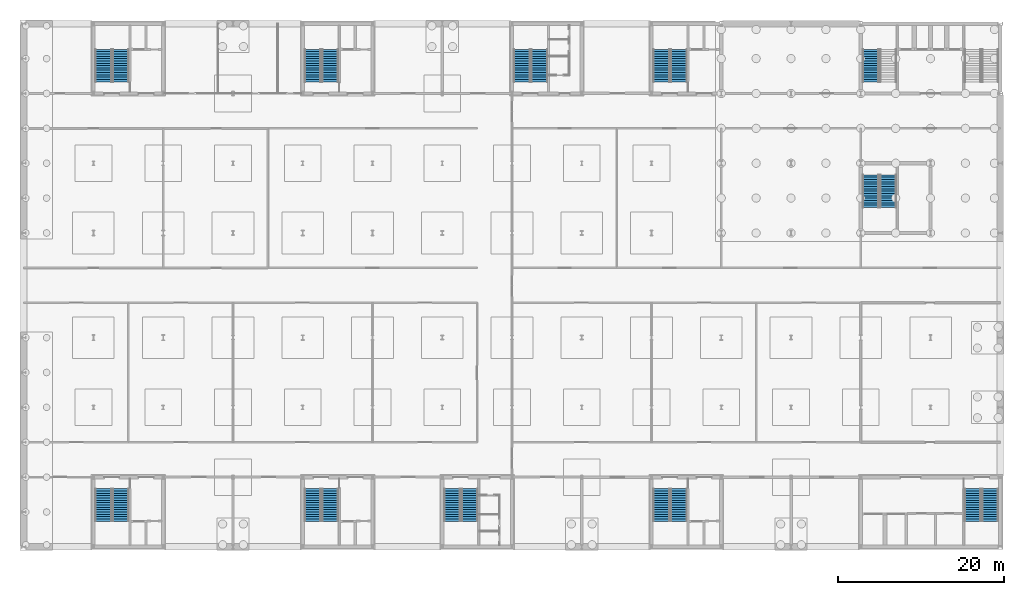
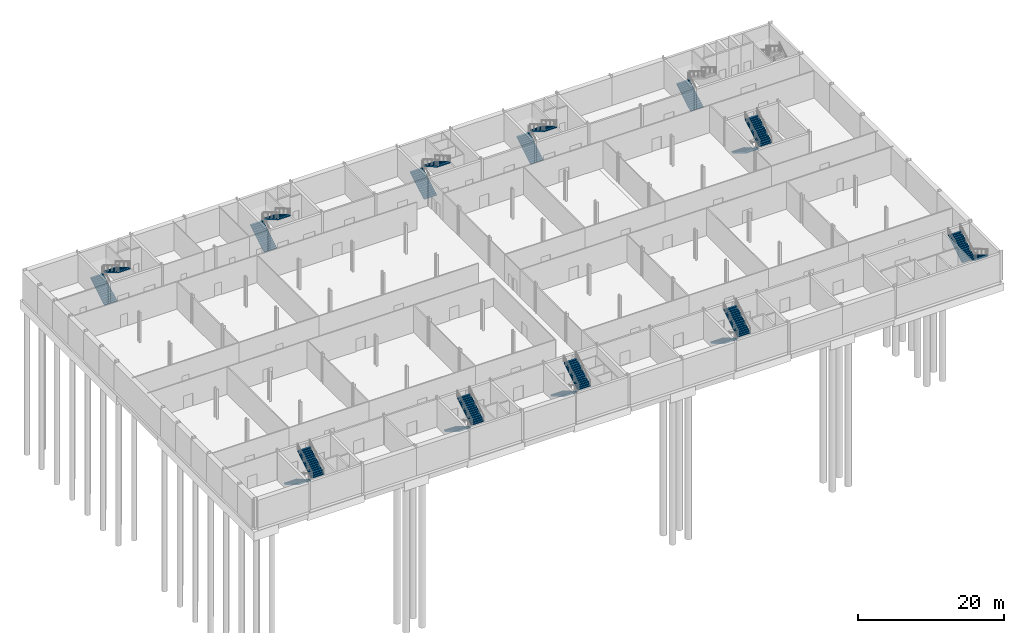
# One storey, part 20 of 22: 21 stair flights, 11 elements without a shape of their own.
"""IFC4 building model written with IfcOpenShell, lengths in metres."""

from ifc_helpers import new_model, si_unit, direction, frame, origin, place, context, subcontext, project, spatial, polyline, outline, extrude, material, type_object, element, aggregate, save


model = new_model("IFC4")

# Units and contexts
model_context = context("Model", 3, precision=1e-05, world=origin(), true_north=direction((0.0, 1.0)))
body_context = subcontext(model_context, "Body", "Model", "MODEL_VIEW")
ifc_project = project(units=[si_unit("LENGTHUNIT", "METRE"), si_unit("AREAUNIT", "SQUARE_METRE"), si_unit("VOLUMEUNIT", "CUBIC_METRE"), si_unit("PLANEANGLEUNIT", "RADIAN"), si_unit("MASSUNIT", "GRAM", prefix="KILO")], contexts=[model_context])

# Site, building, storey
site_placement = place(None, origin())
site = spatial("IfcSite", under=ifc_project, at=site_placement, CompositionType="ELEMENT")
building_placement = place(site_placement, origin())
building = spatial("IfcBuilding", under=site, at=building_placement, Name="Galleria Vessillo Department Store", CompositionType="ELEMENT")
storey_placement = place(building_placement, frame((0.0, 0.0, -9.89990234375)))
storey = spatial("IfcBuildingStorey", under=building, at=storey_placement, Name="B2", CompositionType="ELEMENT", Elevation=-9.89990234375)

# Stair, stair flights
ifc_material_1 = material(Name="Concrete C32/40", Category="concrete")
stair_type = type_object("IfcStairType", Name="Half-turn escape stair 2000 mm, 30 risers of 167 mm", PredefinedType="HALF_TURN_STAIR", material=ifc_material_1)
stair_1_placement = place(storey_placement, origin())
stair_1 = element("IfcStair", 1, at=stair_1_placement, inside=storey, type_object=stair_type, Name="Stair ST1 B2", PredefinedType="HALF_TURN_STAIR")
ifc_material_2 = material(Name="Concrete C32/40", Category="concrete")
stair_flight_type = type_object("IfcStairFlightType", Name="Stair flight 2000 mm, 15 risers of 167 mm", PredefinedType="STRAIGHT", material=ifc_material_2)
stair_flight_1_placement = place(storey_placement, frame((9.60009765625, 7.00048828125, 0.0), z_axis=(0.0, 0.0, 1.0), x_axis=(0.0, -1.0, 0.0)))
stair_flight_1 = element("IfcStairFlight", 2, at=stair_flight_1_placement, type_object=stair_flight_type, Name="ST1 flight 1", NumberOfRisers=15, NumberOfTreads=14, PredefinedType="STRAIGHT", RiserHeight=0.166666667, TreadLength=0.28, context=body_context, shape_type="SweptSolid", body=[
    extrude(outline(polyline([(0.0, 0.0), (0.0, 0.166748046875), (0.280029296875, 0.166748046875), (0.280029296875, 0.333251953125), (0.56005859375, 0.333251953125), (0.56005859375, 0.5), (0.840087890625, 0.5), (0.840087890625, 0.666748046875), (1.1201171875, 0.666748046875), (1.1201171875, 0.833251953125), (1.39990234375, 0.833251953125), (1.39990234375, 1.0), (1.679931640625, 1.0), (1.679931640625, 1.166748046875), (1.9599609375, 1.166748046875), (1.9599609375, 1.333251953125), (2.239990234375, 1.333251953125), (2.239990234375, 1.5), (2.52001953125, 1.5), (2.52001953125, 1.666748046875), (2.800048828125, 1.666748046875), (2.800048828125, 1.833251953125), (3.080078125, 1.833251953125), (3.080078125, 2.0), (3.360107421875, 2.0), (3.360107421875, 2.166748046875), (3.639892578125, 2.166748046875), (3.639892578125, 2.333251953125), (3.919921875, 2.333251953125), (3.919921875, 2.5), (3.919921875, 2.158935546875), (0.29296875, 0.0), (0.0, 0.0)])), frame((0.0, 1.0, 0.0), z_axis=(0.0, -1.0, 0.0), x_axis=(1.0, 0.0, 0.0)), (0.0, 0.0, 1.0), 2.0),
])
stair_flight_2_placement = place(storey_placement, frame((11.699951171875, 3.08056640625, 2.5), z_axis=(0.0, 0.0, 1.0), x_axis=(0.0, 1.0, 0.0)))
stair_flight_2 = element("IfcStairFlight", 3, at=stair_flight_2_placement, type_object=stair_flight_type, Name="ST1 flight 2", NumberOfRisers=15, NumberOfTreads=14, PredefinedType="STRAIGHT", RiserHeight=0.166666667, TreadLength=0.28, context=body_context, shape_type="SweptSolid", body=[
    extrude(outline(polyline([(0.0, 0.0), (0.0, 0.166748046875), (0.280029296875, 0.166748046875), (0.280029296875, 0.333251953125), (0.56005859375, 0.333251953125), (0.56005859375, 0.5), (0.840087890625, 0.5), (0.840087890625, 0.666748046875), (1.1201171875, 0.666748046875), (1.1201171875, 0.833251953125), (1.39990234375, 0.833251953125), (1.39990234375, 1.0), (1.679931640625, 1.0), (1.679931640625, 1.166748046875), (1.9599609375, 1.166748046875), (1.9599609375, 1.333251953125), (2.239990234375, 1.333251953125), (2.239990234375, 1.5), (2.52001953125, 1.5), (2.52001953125, 1.666748046875), (2.800048828125, 1.666748046875), (2.800048828125, 1.833251953125), (3.080078125, 1.833251953125), (3.080078125, 2.0), (3.360107421875, 2.0), (3.360107421875, 2.166748046875), (3.639892578125, 2.166748046875), (3.639892578125, 2.333251953125), (3.919921875, 2.333251953125), (3.919921875, 2.5), (3.919921875, 2.158935546875), (0.29296875, 0.0), (0.0, 0.0)])), frame((0.0, 1.0, 0.0), z_axis=(0.0, -1.0, 0.0), x_axis=(1.0, 0.0, 0.0)), (0.0, 0.0, 1.0), 2.0),
])
aggregate(stair_1, [stair_flight_1, stair_flight_2])

stair_2_placement = place(storey_placement, origin())
stair_2 = element("IfcStair", 4, at=stair_2_placement, inside=storey, type_object=stair_type, Name="Stair ST2 B2", PredefinedType="HALF_TURN_STAIR")
stair_flight_3_placement = place(storey_placement, frame((9.60009765625, 55.99951171875, 0.0), z_axis=(0.0, 0.0, 1.0), x_axis=(0.0, 1.0, 0.0)))
stair_flight_3 = element("IfcStairFlight", 5, at=stair_flight_3_placement, type_object=stair_flight_type, Name="ST2 flight 1", NumberOfRisers=15, NumberOfTreads=14, PredefinedType="STRAIGHT", RiserHeight=0.166666667, TreadLength=0.28, context=body_context, shape_type="SweptSolid", body=[
    extrude(outline(polyline([(0.0, 0.0), (0.0, 0.166748046875), (0.280029296875, 0.166748046875), (0.280029296875, 0.333251953125), (0.56005859375, 0.333251953125), (0.56005859375, 0.5), (0.840087890625, 0.5), (0.840087890625, 0.666748046875), (1.1201171875, 0.666748046875), (1.1201171875, 0.833251953125), (1.39990234375, 0.833251953125), (1.39990234375, 1.0), (1.679931640625, 1.0), (1.679931640625, 1.166748046875), (1.9599609375, 1.166748046875), (1.9599609375, 1.333251953125), (2.239990234375, 1.333251953125), (2.239990234375, 1.5), (2.52001953125, 1.5), (2.52001953125, 1.666748046875), (2.800048828125, 1.666748046875), (2.800048828125, 1.833251953125), (3.080078125, 1.833251953125), (3.080078125, 2.0), (3.360107421875, 2.0), (3.360107421875, 2.166748046875), (3.639892578125, 2.166748046875), (3.639892578125, 2.333251953125), (3.919921875, 2.333251953125), (3.919921875, 2.5), (3.919921875, 2.158935546875), (0.29296875, 0.0), (0.0, 0.0)])), frame((0.0, 1.0, 0.0), z_axis=(0.0, -1.0, 0.0), x_axis=(1.0, 0.0, 0.0)), (0.0, 0.0, 1.0), 2.0),
])
stair_flight_4_placement = place(storey_placement, frame((11.699951171875, 59.91943359375, 2.5), z_axis=(0.0, 0.0, 1.0), x_axis=(0.0, -1.0, 0.0)))
stair_flight_4 = element("IfcStairFlight", 6, at=stair_flight_4_placement, type_object=stair_flight_type, Name="ST2 flight 2", NumberOfRisers=15, NumberOfTreads=14, PredefinedType="STRAIGHT", RiserHeight=0.166666667, TreadLength=0.28, context=body_context, shape_type="SweptSolid", body=[
    extrude(outline(polyline([(0.0, 0.0), (0.0, 0.166748046875), (0.280029296875, 0.166748046875), (0.280029296875, 0.333251953125), (0.56005859375, 0.333251953125), (0.56005859375, 0.5), (0.840087890625, 0.5), (0.840087890625, 0.666748046875), (1.1201171875, 0.666748046875), (1.1201171875, 0.833251953125), (1.39990234375, 0.833251953125), (1.39990234375, 1.0), (1.679931640625, 1.0), (1.679931640625, 1.166748046875), (1.9599609375, 1.166748046875), (1.9599609375, 1.333251953125), (2.239990234375, 1.333251953125), (2.239990234375, 1.5), (2.52001953125, 1.5), (2.52001953125, 1.666748046875), (2.800048828125, 1.666748046875), (2.800048828125, 1.833251953125), (3.080078125, 1.833251953125), (3.080078125, 2.0), (3.360107421875, 2.0), (3.360107421875, 2.166748046875), (3.639892578125, 2.166748046875), (3.639892578125, 2.333251953125), (3.919921875, 2.333251953125), (3.919921875, 2.5), (3.919921875, 2.158935546875), (0.29296875, 0.0), (0.0, 0.0)])), frame((0.0, 1.0, 0.0), z_axis=(0.0, -1.0, 0.0), x_axis=(1.0, 0.0, 0.0)), (0.0, 0.0, 1.0), 2.0),
])
aggregate(stair_2, [stair_flight_3, stair_flight_4])

stair_3_placement = place(storey_placement, origin())
stair_3 = element("IfcStair", 7, at=stair_3_placement, inside=storey, type_object=stair_type, Name="Stair ST3 B2", PredefinedType="HALF_TURN_STAIR")
stair_flight_5_placement = place(storey_placement, frame((34.800048828125, 7.00048828125, 0.0), z_axis=(0.0, 0.0, 1.0), x_axis=(0.0, -1.0, 0.0)))
stair_flight_5 = element("IfcStairFlight", 8, at=stair_flight_5_placement, type_object=stair_flight_type, Name="ST3 flight 1", NumberOfRisers=15, NumberOfTreads=14, PredefinedType="STRAIGHT", RiserHeight=0.166666667, TreadLength=0.28, context=body_context, shape_type="SweptSolid", body=[
    extrude(outline(polyline([(0.0, 0.0), (0.0, 0.166748046875), (0.280029296875, 0.166748046875), (0.280029296875, 0.333251953125), (0.56005859375, 0.333251953125), (0.56005859375, 0.5), (0.840087890625, 0.5), (0.840087890625, 0.666748046875), (1.1201171875, 0.666748046875), (1.1201171875, 0.833251953125), (1.39990234375, 0.833251953125), (1.39990234375, 1.0), (1.679931640625, 1.0), (1.679931640625, 1.166748046875), (1.9599609375, 1.166748046875), (1.9599609375, 1.333251953125), (2.239990234375, 1.333251953125), (2.239990234375, 1.5), (2.52001953125, 1.5), (2.52001953125, 1.666748046875), (2.800048828125, 1.666748046875), (2.800048828125, 1.833251953125), (3.080078125, 1.833251953125), (3.080078125, 2.0), (3.360107421875, 2.0), (3.360107421875, 2.166748046875), (3.639892578125, 2.166748046875), (3.639892578125, 2.333251953125), (3.919921875, 2.333251953125), (3.919921875, 2.5), (3.919921875, 2.158935546875), (0.29296875, 0.0), (0.0, 0.0)])), frame((0.0, 1.0, 0.0), z_axis=(0.0, -1.0, 0.0), x_axis=(1.0, 0.0, 0.0)), (0.0, 0.0, 1.0), 2.0),
])
stair_flight_6_placement = place(storey_placement, frame((36.89990234375, 3.08056640625, 2.5), z_axis=(0.0, 0.0, 1.0), x_axis=(0.0, 1.0, 0.0)))
stair_flight_6 = element("IfcStairFlight", 9, at=stair_flight_6_placement, type_object=stair_flight_type, Name="ST3 flight 2", NumberOfRisers=15, NumberOfTreads=14, PredefinedType="STRAIGHT", RiserHeight=0.166666667, TreadLength=0.28, context=body_context, shape_type="SweptSolid", body=[
    extrude(outline(polyline([(0.0, 0.0), (0.0, 0.166748046875), (0.280029296875, 0.166748046875), (0.280029296875, 0.333251953125), (0.56005859375, 0.333251953125), (0.56005859375, 0.5), (0.840087890625, 0.5), (0.840087890625, 0.666748046875), (1.1201171875, 0.666748046875), (1.1201171875, 0.833251953125), (1.39990234375, 0.833251953125), (1.39990234375, 1.0), (1.679931640625, 1.0), (1.679931640625, 1.166748046875), (1.9599609375, 1.166748046875), (1.9599609375, 1.333251953125), (2.239990234375, 1.333251953125), (2.239990234375, 1.5), (2.52001953125, 1.5), (2.52001953125, 1.666748046875), (2.800048828125, 1.666748046875), (2.800048828125, 1.833251953125), (3.080078125, 1.833251953125), (3.080078125, 2.0), (3.360107421875, 2.0), (3.360107421875, 2.166748046875), (3.639892578125, 2.166748046875), (3.639892578125, 2.333251953125), (3.919921875, 2.333251953125), (3.919921875, 2.5), (3.919921875, 2.158935546875), (0.29296875, 0.0), (0.0, 0.0)])), frame((0.0, 1.0, 0.0), z_axis=(0.0, -1.0, 0.0), x_axis=(1.0, 0.0, 0.0)), (0.0, 0.0, 1.0), 2.0),
])
aggregate(stair_3, [stair_flight_5, stair_flight_6])

stair_4_placement = place(storey_placement, origin())
stair_4 = element("IfcStair", 10, at=stair_4_placement, inside=storey, type_object=stair_type, Name="Stair ST4 B2", PredefinedType="HALF_TURN_STAIR")
stair_flight_7_placement = place(storey_placement, frame((34.800048828125, 55.99951171875, 0.0), z_axis=(0.0, 0.0, 1.0), x_axis=(0.0, 1.0, 0.0)))
stair_flight_7 = element("IfcStairFlight", 11, at=stair_flight_7_placement, type_object=stair_flight_type, Name="ST4 flight 1", NumberOfRisers=15, NumberOfTreads=14, PredefinedType="STRAIGHT", RiserHeight=0.166666667, TreadLength=0.28, context=body_context, shape_type="SweptSolid", body=[
    extrude(outline(polyline([(0.0, 0.0), (0.0, 0.166748046875), (0.280029296875, 0.166748046875), (0.280029296875, 0.333251953125), (0.56005859375, 0.333251953125), (0.56005859375, 0.5), (0.840087890625, 0.5), (0.840087890625, 0.666748046875), (1.1201171875, 0.666748046875), (1.1201171875, 0.833251953125), (1.39990234375, 0.833251953125), (1.39990234375, 1.0), (1.679931640625, 1.0), (1.679931640625, 1.166748046875), (1.9599609375, 1.166748046875), (1.9599609375, 1.333251953125), (2.239990234375, 1.333251953125), (2.239990234375, 1.5), (2.52001953125, 1.5), (2.52001953125, 1.666748046875), (2.800048828125, 1.666748046875), (2.800048828125, 1.833251953125), (3.080078125, 1.833251953125), (3.080078125, 2.0), (3.360107421875, 2.0), (3.360107421875, 2.166748046875), (3.639892578125, 2.166748046875), (3.639892578125, 2.333251953125), (3.919921875, 2.333251953125), (3.919921875, 2.5), (3.919921875, 2.158935546875), (0.29296875, 0.0), (0.0, 0.0)])), frame((0.0, 1.0, 0.0), z_axis=(0.0, -1.0, 0.0), x_axis=(1.0, 0.0, 0.0)), (0.0, 0.0, 1.0), 2.0),
])
stair_flight_8_placement = place(storey_placement, frame((36.89990234375, 59.91943359375, 2.5), z_axis=(0.0, 0.0, 1.0), x_axis=(0.0, -1.0, 0.0)))
stair_flight_8 = element("IfcStairFlight", 12, at=stair_flight_8_placement, type_object=stair_flight_type, Name="ST4 flight 2", NumberOfRisers=15, NumberOfTreads=14, PredefinedType="STRAIGHT", RiserHeight=0.166666667, TreadLength=0.28, context=body_context, shape_type="SweptSolid", body=[
    extrude(outline(polyline([(0.0, 0.0), (0.0, 0.166748046875), (0.280029296875, 0.166748046875), (0.280029296875, 0.333251953125), (0.56005859375, 0.333251953125), (0.56005859375, 0.5), (0.840087890625, 0.5), (0.840087890625, 0.666748046875), (1.1201171875, 0.666748046875), (1.1201171875, 0.833251953125), (1.39990234375, 0.833251953125), (1.39990234375, 1.0), (1.679931640625, 1.0), (1.679931640625, 1.166748046875), (1.9599609375, 1.166748046875), (1.9599609375, 1.333251953125), (2.239990234375, 1.333251953125), (2.239990234375, 1.5), (2.52001953125, 1.5), (2.52001953125, 1.666748046875), (2.800048828125, 1.666748046875), (2.800048828125, 1.833251953125), (3.080078125, 1.833251953125), (3.080078125, 2.0), (3.360107421875, 2.0), (3.360107421875, 2.166748046875), (3.639892578125, 2.166748046875), (3.639892578125, 2.333251953125), (3.919921875, 2.333251953125), (3.919921875, 2.5), (3.919921875, 2.158935546875), (0.29296875, 0.0), (0.0, 0.0)])), frame((0.0, 1.0, 0.0), z_axis=(0.0, -1.0, 0.0), x_axis=(1.0, 0.0, 0.0)), (0.0, 0.0, 1.0), 2.0),
])
aggregate(stair_4, [stair_flight_7, stair_flight_8])

stair_5_placement = place(storey_placement, origin())
stair_5 = element("IfcStair", 13, at=stair_5_placement, inside=storey, type_object=stair_type, Name="Stair ST5 B2", PredefinedType="HALF_TURN_STAIR")
stair_flight_9_placement = place(storey_placement, frame((76.800048828125, 7.00048828125, 0.0), z_axis=(0.0, 0.0, 1.0), x_axis=(0.0, -1.0, 0.0)))
stair_flight_9 = element("IfcStairFlight", 14, at=stair_flight_9_placement, type_object=stair_flight_type, Name="ST5 flight 1", NumberOfRisers=15, NumberOfTreads=14, PredefinedType="STRAIGHT", RiserHeight=0.166666667, TreadLength=0.28, context=body_context, shape_type="SweptSolid", body=[
    extrude(outline(polyline([(0.0, 0.0), (0.0, 0.166748046875), (0.280029296875, 0.166748046875), (0.280029296875, 0.333251953125), (0.56005859375, 0.333251953125), (0.56005859375, 0.5), (0.840087890625, 0.5), (0.840087890625, 0.666748046875), (1.1201171875, 0.666748046875), (1.1201171875, 0.833251953125), (1.39990234375, 0.833251953125), (1.39990234375, 1.0), (1.679931640625, 1.0), (1.679931640625, 1.166748046875), (1.9599609375, 1.166748046875), (1.9599609375, 1.333251953125), (2.239990234375, 1.333251953125), (2.239990234375, 1.5), (2.52001953125, 1.5), (2.52001953125, 1.666748046875), (2.800048828125, 1.666748046875), (2.800048828125, 1.833251953125), (3.080078125, 1.833251953125), (3.080078125, 2.0), (3.360107421875, 2.0), (3.360107421875, 2.166748046875), (3.639892578125, 2.166748046875), (3.639892578125, 2.333251953125), (3.919921875, 2.333251953125), (3.919921875, 2.5), (3.919921875, 2.158935546875), (0.29296875, 0.0), (0.0, 0.0)])), frame((0.0, 1.0, 0.0), z_axis=(0.0, -1.0, 0.0), x_axis=(1.0, 0.0, 0.0)), (0.0, 0.0, 1.0), 2.0),
])
stair_flight_10_placement = place(storey_placement, frame((78.89990234375, 3.08056640625, 2.5), z_axis=(0.0, 0.0, 1.0), x_axis=(0.0, 1.0, 0.0)))
stair_flight_10 = element("IfcStairFlight", 15, at=stair_flight_10_placement, type_object=stair_flight_type, Name="ST5 flight 2", NumberOfRisers=15, NumberOfTreads=14, PredefinedType="STRAIGHT", RiserHeight=0.166666667, TreadLength=0.28, context=body_context, shape_type="SweptSolid", body=[
    extrude(outline(polyline([(0.0, 0.0), (0.0, 0.166748046875), (0.280029296875, 0.166748046875), (0.280029296875, 0.333251953125), (0.56005859375, 0.333251953125), (0.56005859375, 0.5), (0.840087890625, 0.5), (0.840087890625, 0.666748046875), (1.1201171875, 0.666748046875), (1.1201171875, 0.833251953125), (1.39990234375, 0.833251953125), (1.39990234375, 1.0), (1.679931640625, 1.0), (1.679931640625, 1.166748046875), (1.9599609375, 1.166748046875), (1.9599609375, 1.333251953125), (2.239990234375, 1.333251953125), (2.239990234375, 1.5), (2.52001953125, 1.5), (2.52001953125, 1.666748046875), (2.800048828125, 1.666748046875), (2.800048828125, 1.833251953125), (3.080078125, 1.833251953125), (3.080078125, 2.0), (3.360107421875, 2.0), (3.360107421875, 2.166748046875), (3.639892578125, 2.166748046875), (3.639892578125, 2.333251953125), (3.919921875, 2.333251953125), (3.919921875, 2.5), (3.919921875, 2.158935546875), (0.29296875, 0.0), (0.0, 0.0)])), frame((0.0, 1.0, 0.0), z_axis=(0.0, -1.0, 0.0), x_axis=(1.0, 0.0, 0.0)), (0.0, 0.0, 1.0), 2.0),
])
aggregate(stair_5, [stair_flight_9, stair_flight_10])

stair_6_placement = place(storey_placement, origin())
stair_6 = element("IfcStair", 16, at=stair_6_placement, inside=storey, type_object=stair_type, Name="Stair ST6 B2", PredefinedType="HALF_TURN_STAIR")
stair_flight_11_placement = place(storey_placement, frame((76.800048828125, 55.99951171875, 0.0), z_axis=(0.0, 0.0, 1.0), x_axis=(0.0, 1.0, 0.0)))
stair_flight_11 = element("IfcStairFlight", 17, at=stair_flight_11_placement, type_object=stair_flight_type, Name="ST6 flight 1", NumberOfRisers=15, NumberOfTreads=14, PredefinedType="STRAIGHT", RiserHeight=0.166666667, TreadLength=0.28, context=body_context, shape_type="SweptSolid", body=[
    extrude(outline(polyline([(0.0, 0.0), (0.0, 0.166748046875), (0.280029296875, 0.166748046875), (0.280029296875, 0.333251953125), (0.56005859375, 0.333251953125), (0.56005859375, 0.5), (0.840087890625, 0.5), (0.840087890625, 0.666748046875), (1.1201171875, 0.666748046875), (1.1201171875, 0.833251953125), (1.39990234375, 0.833251953125), (1.39990234375, 1.0), (1.679931640625, 1.0), (1.679931640625, 1.166748046875), (1.9599609375, 1.166748046875), (1.9599609375, 1.333251953125), (2.239990234375, 1.333251953125), (2.239990234375, 1.5), (2.52001953125, 1.5), (2.52001953125, 1.666748046875), (2.800048828125, 1.666748046875), (2.800048828125, 1.833251953125), (3.080078125, 1.833251953125), (3.080078125, 2.0), (3.360107421875, 2.0), (3.360107421875, 2.166748046875), (3.639892578125, 2.166748046875), (3.639892578125, 2.333251953125), (3.919921875, 2.333251953125), (3.919921875, 2.5), (3.919921875, 2.158935546875), (0.29296875, 0.0), (0.0, 0.0)])), frame((0.0, 1.0, 0.0), z_axis=(0.0, -1.0, 0.0), x_axis=(1.0, 0.0, 0.0)), (0.0, 0.0, 1.0), 2.0),
])
stair_flight_12_placement = place(storey_placement, frame((78.89990234375, 59.91943359375, 2.5), z_axis=(0.0, 0.0, 1.0), x_axis=(0.0, -1.0, 0.0)))
stair_flight_12 = element("IfcStairFlight", 18, at=stair_flight_12_placement, type_object=stair_flight_type, Name="ST6 flight 2", NumberOfRisers=15, NumberOfTreads=14, PredefinedType="STRAIGHT", RiserHeight=0.166666667, TreadLength=0.28, context=body_context, shape_type="SweptSolid", body=[
    extrude(outline(polyline([(0.0, 0.0), (0.0, 0.166748046875), (0.280029296875, 0.166748046875), (0.280029296875, 0.333251953125), (0.56005859375, 0.333251953125), (0.56005859375, 0.5), (0.840087890625, 0.5), (0.840087890625, 0.666748046875), (1.1201171875, 0.666748046875), (1.1201171875, 0.833251953125), (1.39990234375, 0.833251953125), (1.39990234375, 1.0), (1.679931640625, 1.0), (1.679931640625, 1.166748046875), (1.9599609375, 1.166748046875), (1.9599609375, 1.333251953125), (2.239990234375, 1.333251953125), (2.239990234375, 1.5), (2.52001953125, 1.5), (2.52001953125, 1.666748046875), (2.800048828125, 1.666748046875), (2.800048828125, 1.833251953125), (3.080078125, 1.833251953125), (3.080078125, 2.0), (3.360107421875, 2.0), (3.360107421875, 2.166748046875), (3.639892578125, 2.166748046875), (3.639892578125, 2.333251953125), (3.919921875, 2.333251953125), (3.919921875, 2.5), (3.919921875, 2.158935546875), (0.29296875, 0.0), (0.0, 0.0)])), frame((0.0, 1.0, 0.0), z_axis=(0.0, -1.0, 0.0), x_axis=(1.0, 0.0, 0.0)), (0.0, 0.0, 1.0), 2.0),
])
aggregate(stair_6, [stair_flight_11, stair_flight_12])

stair_7_placement = place(storey_placement, origin())
stair_7 = element("IfcStair", 19, at=stair_7_placement, inside=storey, type_object=stair_type, Name="Stair ST10 B2", PredefinedType="HALF_TURN_STAIR")
stair_flight_13_placement = place(storey_placement, frame((51.60009765625, 7.00048828125, 0.0), z_axis=(0.0, 0.0, 1.0), x_axis=(0.0, -1.0, 0.0)))
stair_flight_13 = element("IfcStairFlight", 20, at=stair_flight_13_placement, type_object=stair_flight_type, Name="ST10 flight 1", NumberOfRisers=15, NumberOfTreads=14, PredefinedType="STRAIGHT", RiserHeight=0.166666667, TreadLength=0.28, context=body_context, shape_type="SweptSolid", body=[
    extrude(outline(polyline([(0.0, 0.0), (0.0, 0.166748046875), (0.280029296875, 0.166748046875), (0.280029296875, 0.333251953125), (0.56005859375, 0.333251953125), (0.56005859375, 0.5), (0.840087890625, 0.5), (0.840087890625, 0.666748046875), (1.1201171875, 0.666748046875), (1.1201171875, 0.833251953125), (1.39990234375, 0.833251953125), (1.39990234375, 1.0), (1.679931640625, 1.0), (1.679931640625, 1.166748046875), (1.9599609375, 1.166748046875), (1.9599609375, 1.333251953125), (2.239990234375, 1.333251953125), (2.239990234375, 1.5), (2.52001953125, 1.5), (2.52001953125, 1.666748046875), (2.800048828125, 1.666748046875), (2.800048828125, 1.833251953125), (3.080078125, 1.833251953125), (3.080078125, 2.0), (3.360107421875, 2.0), (3.360107421875, 2.166748046875), (3.639892578125, 2.166748046875), (3.639892578125, 2.333251953125), (3.919921875, 2.333251953125), (3.919921875, 2.5), (3.919921875, 2.158935546875), (0.29296875, 0.0), (0.0, 0.0)])), frame((0.0, 1.0, 0.0), z_axis=(0.0, -1.0, 0.0), x_axis=(1.0, 0.0, 0.0)), (0.0, 0.0, 1.0), 2.0),
])
stair_flight_14_placement = place(storey_placement, frame((53.699951171875, 3.08056640625, 2.5), z_axis=(0.0, 0.0, 1.0), x_axis=(0.0, 1.0, 0.0)))
stair_flight_14 = element("IfcStairFlight", 21, at=stair_flight_14_placement, type_object=stair_flight_type, Name="ST10 flight 2", NumberOfRisers=15, NumberOfTreads=14, PredefinedType="STRAIGHT", RiserHeight=0.166666667, TreadLength=0.28, context=body_context, shape_type="SweptSolid", body=[
    extrude(outline(polyline([(0.0, 0.0), (0.0, 0.166748046875), (0.280029296875, 0.166748046875), (0.280029296875, 0.333251953125), (0.56005859375, 0.333251953125), (0.56005859375, 0.5), (0.840087890625, 0.5), (0.840087890625, 0.666748046875), (1.1201171875, 0.666748046875), (1.1201171875, 0.833251953125), (1.39990234375, 0.833251953125), (1.39990234375, 1.0), (1.679931640625, 1.0), (1.679931640625, 1.166748046875), (1.9599609375, 1.166748046875), (1.9599609375, 1.333251953125), (2.239990234375, 1.333251953125), (2.239990234375, 1.5), (2.52001953125, 1.5), (2.52001953125, 1.666748046875), (2.800048828125, 1.666748046875), (2.800048828125, 1.833251953125), (3.080078125, 1.833251953125), (3.080078125, 2.0), (3.360107421875, 2.0), (3.360107421875, 2.166748046875), (3.639892578125, 2.166748046875), (3.639892578125, 2.333251953125), (3.919921875, 2.333251953125), (3.919921875, 2.5), (3.919921875, 2.158935546875), (0.29296875, 0.0), (0.0, 0.0)])), frame((0.0, 1.0, 0.0), z_axis=(0.0, -1.0, 0.0), x_axis=(1.0, 0.0, 0.0)), (0.0, 0.0, 1.0), 2.0),
])
aggregate(stair_7, [stair_flight_13, stair_flight_14])

stair_8_placement = place(storey_placement, origin())
stair_8 = element("IfcStair", 22, at=stair_8_placement, inside=storey, type_object=stair_type, Name="Stair ST11 B2", PredefinedType="HALF_TURN_STAIR")
stair_flight_15_placement = place(storey_placement, frame((60.0, 55.99951171875, 0.0), z_axis=(0.0, 0.0, 1.0), x_axis=(0.0, 1.0, 0.0)))
stair_flight_15 = element("IfcStairFlight", 23, at=stair_flight_15_placement, type_object=stair_flight_type, Name="ST11 flight 1", NumberOfRisers=15, NumberOfTreads=14, PredefinedType="STRAIGHT", RiserHeight=0.166666667, TreadLength=0.28, context=body_context, shape_type="SweptSolid", body=[
    extrude(outline(polyline([(0.0, 0.0), (0.0, 0.166748046875), (0.280029296875, 0.166748046875), (0.280029296875, 0.333251953125), (0.56005859375, 0.333251953125), (0.56005859375, 0.5), (0.840087890625, 0.5), (0.840087890625, 0.666748046875), (1.1201171875, 0.666748046875), (1.1201171875, 0.833251953125), (1.39990234375, 0.833251953125), (1.39990234375, 1.0), (1.679931640625, 1.0), (1.679931640625, 1.166748046875), (1.9599609375, 1.166748046875), (1.9599609375, 1.333251953125), (2.239990234375, 1.333251953125), (2.239990234375, 1.5), (2.52001953125, 1.5), (2.52001953125, 1.666748046875), (2.800048828125, 1.666748046875), (2.800048828125, 1.833251953125), (3.080078125, 1.833251953125), (3.080078125, 2.0), (3.360107421875, 2.0), (3.360107421875, 2.166748046875), (3.639892578125, 2.166748046875), (3.639892578125, 2.333251953125), (3.919921875, 2.333251953125), (3.919921875, 2.5), (3.919921875, 2.158935546875), (0.29296875, 0.0), (0.0, 0.0)])), frame((0.0, 1.0, 0.0), z_axis=(0.0, -1.0, 0.0), x_axis=(1.0, 0.0, 0.0)), (0.0, 0.0, 1.0), 2.0),
])
stair_flight_16_placement = place(storey_placement, frame((62.10009765625, 59.91943359375, 2.5), z_axis=(0.0, 0.0, 1.0), x_axis=(0.0, -1.0, 0.0)))
stair_flight_16 = element("IfcStairFlight", 24, at=stair_flight_16_placement, type_object=stair_flight_type, Name="ST11 flight 2", NumberOfRisers=15, NumberOfTreads=14, PredefinedType="STRAIGHT", RiserHeight=0.166666667, TreadLength=0.28, context=body_context, shape_type="SweptSolid", body=[
    extrude(outline(polyline([(0.0, 0.0), (0.0, 0.166748046875), (0.280029296875, 0.166748046875), (0.280029296875, 0.333251953125), (0.56005859375, 0.333251953125), (0.56005859375, 0.5), (0.840087890625, 0.5), (0.840087890625, 0.666748046875), (1.1201171875, 0.666748046875), (1.1201171875, 0.833251953125), (1.39990234375, 0.833251953125), (1.39990234375, 1.0), (1.679931640625, 1.0), (1.679931640625, 1.166748046875), (1.9599609375, 1.166748046875), (1.9599609375, 1.333251953125), (2.239990234375, 1.333251953125), (2.239990234375, 1.5), (2.52001953125, 1.5), (2.52001953125, 1.666748046875), (2.800048828125, 1.666748046875), (2.800048828125, 1.833251953125), (3.080078125, 1.833251953125), (3.080078125, 2.0), (3.360107421875, 2.0), (3.360107421875, 2.166748046875), (3.639892578125, 2.166748046875), (3.639892578125, 2.333251953125), (3.919921875, 2.333251953125), (3.919921875, 2.5), (3.919921875, 2.158935546875), (0.29296875, 0.0), (0.0, 0.0)])), frame((0.0, 1.0, 0.0), z_axis=(0.0, -1.0, 0.0), x_axis=(1.0, 0.0, 0.0)), (0.0, 0.0, 1.0), 2.0),
])
aggregate(stair_8, [stair_flight_15, stair_flight_16])

stair_9_placement = place(storey_placement, origin())
stair_9 = element("IfcStair", 25, at=stair_9_placement, inside=storey, type_object=stair_type, Name="Stair ST7 B2", PredefinedType="HALF_TURN_STAIR")
stair_flight_17_placement = place(storey_placement, frame((116.39990234375, 7.00048828125, 0.0), z_axis=(0.0, 0.0, 1.0), x_axis=(0.0, -1.0, 0.0)))
stair_flight_17 = element("IfcStairFlight", 26, at=stair_flight_17_placement, type_object=stair_flight_type, Name="ST7 flight 1", NumberOfRisers=15, NumberOfTreads=14, PredefinedType="STRAIGHT", RiserHeight=0.166666667, TreadLength=0.28, context=body_context, shape_type="SweptSolid", body=[
    extrude(outline(polyline([(0.0, 0.0), (0.0, 0.166748046875), (0.280029296875, 0.166748046875), (0.280029296875, 0.333251953125), (0.56005859375, 0.333251953125), (0.56005859375, 0.5), (0.840087890625, 0.5), (0.840087890625, 0.666748046875), (1.1201171875, 0.666748046875), (1.1201171875, 0.833251953125), (1.39990234375, 0.833251953125), (1.39990234375, 1.0), (1.679931640625, 1.0), (1.679931640625, 1.166748046875), (1.9599609375, 1.166748046875), (1.9599609375, 1.333251953125), (2.239990234375, 1.333251953125), (2.239990234375, 1.5), (2.52001953125, 1.5), (2.52001953125, 1.666748046875), (2.800048828125, 1.666748046875), (2.800048828125, 1.833251953125), (3.080078125, 1.833251953125), (3.080078125, 2.0), (3.360107421875, 2.0), (3.360107421875, 2.166748046875), (3.639892578125, 2.166748046875), (3.639892578125, 2.333251953125), (3.919921875, 2.333251953125), (3.919921875, 2.5), (3.919921875, 2.158935546875), (0.29296875, 0.0), (0.0, 0.0)])), frame((0.0, 1.0, 0.0), z_axis=(0.0, -1.0, 0.0), x_axis=(1.0, 0.0, 0.0)), (0.0, 0.0, 1.0), 2.0),
])
stair_flight_18_placement = place(storey_placement, frame((114.300048828125, 3.08056640625, 2.5), z_axis=(0.0, 0.0, 1.0), x_axis=(0.0, 1.0, 0.0)))
stair_flight_18 = element("IfcStairFlight", 27, at=stair_flight_18_placement, type_object=stair_flight_type, Name="ST7 flight 2", NumberOfRisers=15, NumberOfTreads=14, PredefinedType="STRAIGHT", RiserHeight=0.166666667, TreadLength=0.28, context=body_context, shape_type="SweptSolid", body=[
    extrude(outline(polyline([(0.0, 0.0), (0.0, 0.166748046875), (0.280029296875, 0.166748046875), (0.280029296875, 0.333251953125), (0.56005859375, 0.333251953125), (0.56005859375, 0.5), (0.840087890625, 0.5), (0.840087890625, 0.666748046875), (1.1201171875, 0.666748046875), (1.1201171875, 0.833251953125), (1.39990234375, 0.833251953125), (1.39990234375, 1.0), (1.679931640625, 1.0), (1.679931640625, 1.166748046875), (1.9599609375, 1.166748046875), (1.9599609375, 1.333251953125), (2.239990234375, 1.333251953125), (2.239990234375, 1.5), (2.52001953125, 1.5), (2.52001953125, 1.666748046875), (2.800048828125, 1.666748046875), (2.800048828125, 1.833251953125), (3.080078125, 1.833251953125), (3.080078125, 2.0), (3.360107421875, 2.0), (3.360107421875, 2.166748046875), (3.639892578125, 2.166748046875), (3.639892578125, 2.333251953125), (3.919921875, 2.333251953125), (3.919921875, 2.5), (3.919921875, 2.158935546875), (0.29296875, 0.0), (0.0, 0.0)])), frame((0.0, 1.0, 0.0), z_axis=(0.0, -1.0, 0.0), x_axis=(1.0, 0.0, 0.0)), (0.0, 0.0, 1.0), 2.0),
])
aggregate(stair_9, [stair_flight_17, stair_flight_18])

# Stair, stair flight
stair_10_placement = place(storey_placement, origin())
stair_10 = element("IfcStair", 28, at=stair_10_placement, inside=storey, type_object=stair_type, Name="Stair ST8 B2", PredefinedType="HALF_TURN_STAIR")
stair_flight_19_placement = place(storey_placement, frame((102.0, 55.99951171875, 0.0), z_axis=(0.0, 0.0, 1.0), x_axis=(0.0, 1.0, 0.0)))
stair_flight_19 = element("IfcStairFlight", 29, at=stair_flight_19_placement, type_object=stair_flight_type, Name="ST8 flight 1", NumberOfRisers=15, NumberOfTreads=14, PredefinedType="STRAIGHT", RiserHeight=0.166666667, TreadLength=0.28, context=body_context, shape_type="SweptSolid", body=[
    extrude(outline(polyline([(0.0, 0.0), (0.0, 0.166748046875), (0.280029296875, 0.166748046875), (0.280029296875, 0.333251953125), (0.56005859375, 0.333251953125), (0.56005859375, 0.5), (0.840087890625, 0.5), (0.840087890625, 0.666748046875), (1.1201171875, 0.666748046875), (1.1201171875, 0.833251953125), (1.39990234375, 0.833251953125), (1.39990234375, 1.0), (1.679931640625, 1.0), (1.679931640625, 1.166748046875), (1.9599609375, 1.166748046875), (1.9599609375, 1.333251953125), (2.239990234375, 1.333251953125), (2.239990234375, 1.5), (2.52001953125, 1.5), (2.52001953125, 1.666748046875), (2.800048828125, 1.666748046875), (2.800048828125, 1.833251953125), (3.080078125, 1.833251953125), (3.080078125, 2.0), (3.360107421875, 2.0), (3.360107421875, 2.166748046875), (3.639892578125, 2.166748046875), (3.639892578125, 2.333251953125), (3.919921875, 2.333251953125), (3.919921875, 2.5), (3.919921875, 2.158935546875), (0.29296875, 0.0), (0.0, 0.0)])), frame((0.0, 1.0, 0.0), z_axis=(0.0, -1.0, 0.0), x_axis=(1.0, 0.0, 0.0)), (0.0, 0.0, 1.0), 2.0),
])
aggregate(stair_10, [stair_flight_19])

# Stair, stair flights
stair_11_placement = place(storey_placement, origin())
stair_11 = element("IfcStair", 30, at=stair_11_placement, inside=storey, type_object=stair_type, Name="Stair ST12 B2", PredefinedType="HALF_TURN_STAIR")
stair_flight_20_placement = place(storey_placement, frame((102.0, 44.800537109375, 0.0), z_axis=(0.0, 0.0, 1.0), x_axis=(0.0, -1.0, 0.0)))
stair_flight_20 = element("IfcStairFlight", 31, at=stair_flight_20_placement, type_object=stair_flight_type, Name="ST12 flight 1", NumberOfRisers=15, NumberOfTreads=14, PredefinedType="STRAIGHT", RiserHeight=0.166666667, TreadLength=0.28, context=body_context, shape_type="SweptSolid", body=[
    extrude(outline(polyline([(0.0, 0.0), (0.0, 0.166748046875), (0.280029296875, 0.166748046875), (0.280029296875, 0.333251953125), (0.56005859375, 0.333251953125), (0.56005859375, 0.5), (0.840087890625, 0.5), (0.840087890625, 0.666748046875), (1.1201171875, 0.666748046875), (1.1201171875, 0.833251953125), (1.39990234375, 0.833251953125), (1.39990234375, 1.0), (1.679931640625, 1.0), (1.679931640625, 1.166748046875), (1.9599609375, 1.166748046875), (1.9599609375, 1.333251953125), (2.239990234375, 1.333251953125), (2.239990234375, 1.5), (2.52001953125, 1.5), (2.52001953125, 1.666748046875), (2.800048828125, 1.666748046875), (2.800048828125, 1.833251953125), (3.080078125, 1.833251953125), (3.080078125, 2.0), (3.360107421875, 2.0), (3.360107421875, 2.166748046875), (3.639892578125, 2.166748046875), (3.639892578125, 2.333251953125), (3.919921875, 2.333251953125), (3.919921875, 2.5), (3.919921875, 2.158935546875), (0.29296875, 0.0), (0.0, 0.0)])), frame((0.0, 1.0, 0.0), z_axis=(0.0, -1.0, 0.0), x_axis=(1.0, 0.0, 0.0)), (0.0, 0.0, 1.0), 2.0),
])
stair_flight_21_placement = place(storey_placement, frame((104.10009765625, 40.88037109375, 2.5), z_axis=(0.0, 0.0, 1.0), x_axis=(0.0, 1.0, 0.0)))
stair_flight_21 = element("IfcStairFlight", 32, at=stair_flight_21_placement, type_object=stair_flight_type, Name="ST12 flight 2", NumberOfRisers=15, NumberOfTreads=14, PredefinedType="STRAIGHT", RiserHeight=0.166666667, TreadLength=0.28, context=body_context, shape_type="SweptSolid", body=[
    extrude(outline(polyline([(0.0, 0.0), (0.0, 0.166748046875), (0.280029296875, 0.166748046875), (0.280029296875, 0.333251953125), (0.56005859375, 0.333251953125), (0.56005859375, 0.5), (0.840087890625, 0.5), (0.840087890625, 0.666748046875), (1.1201171875, 0.666748046875), (1.1201171875, 0.833251953125), (1.39990234375, 0.833251953125), (1.39990234375, 1.0), (1.679931640625, 1.0), (1.679931640625, 1.166748046875), (1.9599609375, 1.166748046875), (1.9599609375, 1.333251953125), (2.239990234375, 1.333251953125), (2.239990234375, 1.5), (2.52001953125, 1.5), (2.52001953125, 1.666748046875), (2.800048828125, 1.666748046875), (2.800048828125, 1.833251953125), (3.080078125, 1.833251953125), (3.080078125, 2.0), (3.360107421875, 2.0), (3.360107421875, 2.166748046875), (3.639892578125, 2.166748046875), (3.639892578125, 2.333251953125), (3.919921875, 2.333251953125), (3.919921875, 2.5), (3.919921875, 2.158935546875), (0.29296875, 0.0), (0.0, 0.0)])), frame((0.0, 1.0, 0.0), z_axis=(0.0, -1.0, 0.0), x_axis=(1.0, 0.0, 0.0)), (0.0, 0.0, 1.0), 2.0),
])
aggregate(stair_11, [stair_flight_20, stair_flight_21])

save(model, "model.ifc")
